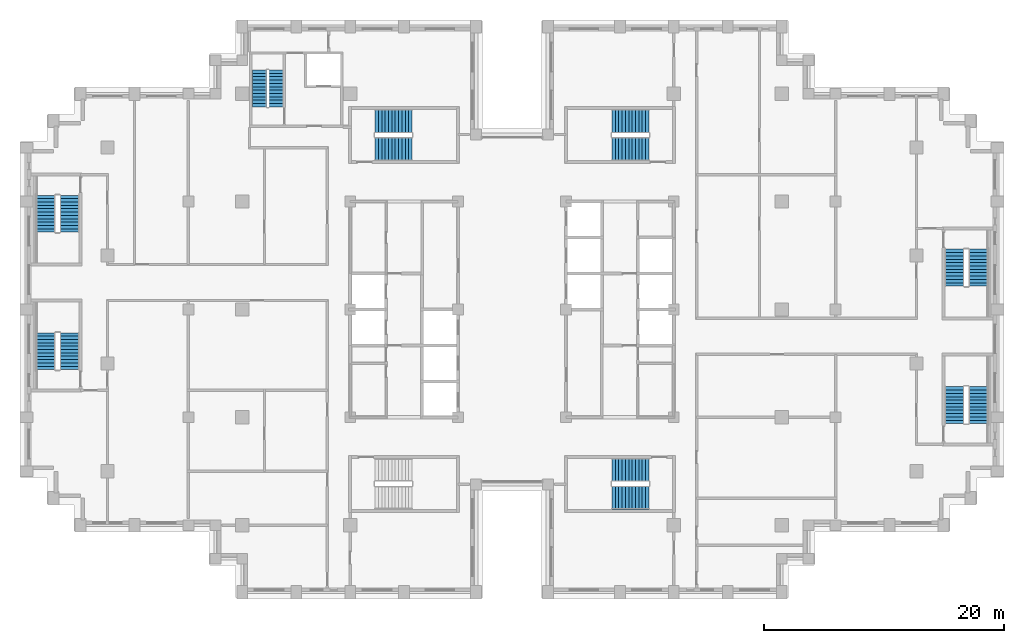
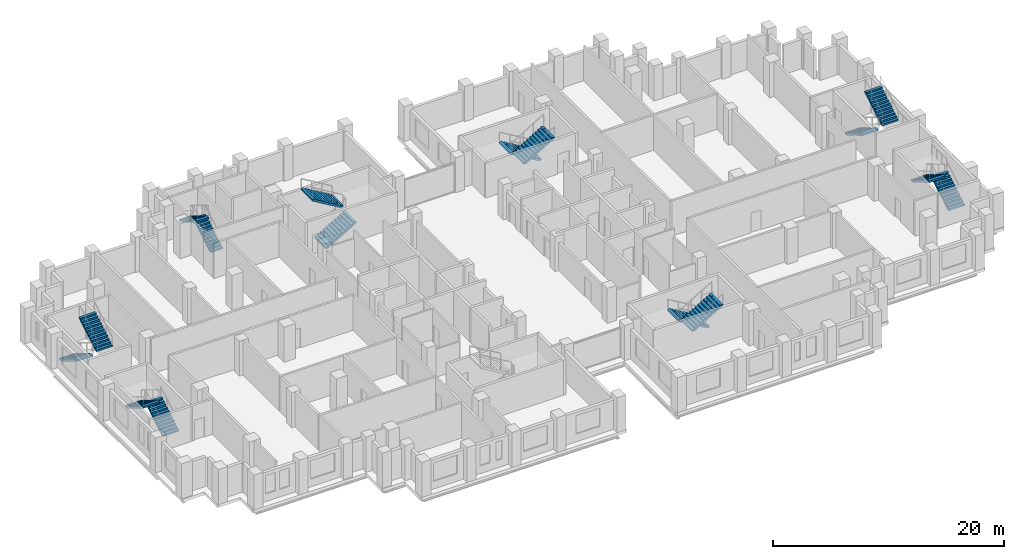
# One storey, part 13 of 15: 16 stair flights, 8 elements without a shape of their own.
"""IFC4 building model written with IfcOpenShell, lengths in metres."""

from ifc_helpers import new_model, si_unit, direction, frame, origin, place, context, subcontext, project, spatial, polyline, outline, extrude, material, type_object, element, aggregate, save


model = new_model("IFC4")

# Units and contexts
model_context = context("Model", 3, precision=1e-05, world=origin(), true_north=direction((0.0, 1.0)))
body_context = subcontext(model_context, "Body", "Model", "MODEL_VIEW")
ifc_project = project(units=[si_unit("LENGTHUNIT", "METRE"), si_unit("AREAUNIT", "SQUARE_METRE"), si_unit("VOLUMEUNIT", "CUBIC_METRE"), si_unit("PLANEANGLEUNIT", "RADIAN"), si_unit("MASSUNIT", "GRAM", prefix="KILO")], contexts=[model_context])

# Site, building, storey
site_placement = place(None, origin())
site = spatial("IfcSite", under=ifc_project, at=site_placement, CompositionType="ELEMENT")
building_placement = place(site_placement, origin())
building = spatial("IfcBuilding", under=site, at=building_placement, Name="Corbelhall Arena Tower", CompositionType="ELEMENT")
storey_placement = place(building_placement, frame((0.0, 0.0, 162.0)))
storey = spatial("IfcBuildingStorey", under=building, at=storey_placement, Name="L32", CompositionType="ELEMENT", Elevation=162.0)

# Stair, stair flights
ifc_material = material(Name="Concrete C40/50", Category="concrete")
stair_type = type_object("IfcStairType", Name="IN-ST-TOWER", PredefinedType="HALF_TURN_STAIR", material=ifc_material)
stair_1_placement = place(storey_placement, origin())
stair_1 = element("IfcStair", 1, at=stair_1_placement, inside=storey, type_object=stair_type, Name="L32 Exit stair ST1", PredefinedType="HALF_TURN_STAIR")
stair_flight_type = type_object("IfcStairFlightType", Name="IN-SFL-RC", PredefinedType="STRAIGHT", material=ifc_material)
stair_flight_1_placement = place(storey_placement, frame((-11.425048828125, 13.39990234375, 0.0), z_axis=(0.0, 0.0, 1.0), x_axis=(1.0, 0.0, 0.0)))
stair_flight_1 = element("IfcStairFlight", 2, at=stair_flight_1_placement, type_object=stair_flight_type, Name="ST1 flight 1", NumberOfRisers=12, NumberOfTreads=11, PredefinedType="STRAIGHT", RiserHeight=0.166666667, TreadLength=0.28, context=body_context, shape_type="SweptSolid", body=[
    extrude(outline(polyline([(0.0, 0.0), (0.0, 0.166748046875), (0.280029296875, 0.166748046875), (0.280029296875, 0.333251953125), (0.56005859375, 0.333251953125), (0.56005859375, 0.5), (0.840087890625, 0.5), (0.840087890625, 0.666748046875), (1.1201171875, 0.666748046875), (1.1201171875, 0.833251953125), (1.39990234375, 0.833251953125), (1.39990234375, 1.0), (1.679931640625, 1.0), (1.679931640625, 1.166748046875), (1.9599609375, 1.166748046875), (1.9599609375, 1.333251953125), (2.239990234375, 1.333251953125), (2.239990234375, 1.5), (2.52001953125, 1.5), (2.52001953125, 1.666748046875), (2.800048828125, 1.666748046875), (2.800048828125, 1.833251953125), (3.080078125, 1.833251953125), (3.080078125, 2.0), (3.080078125, 1.658935546875), (0.29296875, 0.0), (0.0, 0.0)])), frame((0.0, 0.97509765625, 0.0), z_axis=(0.0, -1.0, 0.0), x_axis=(1.0, 0.0, 0.0)), (0.0, 0.0, 1.0), 0.449951171875),
    extrude(outline(polyline([(0.0, 0.0), (0.0, 0.166748046875), (0.280029296875, 0.166748046875), (0.280029296875, 0.333251953125), (0.56005859375, 0.333251953125), (0.56005859375, 0.5), (0.840087890625, 0.5), (0.840087890625, 0.666748046875), (1.1201171875, 0.666748046875), (1.1201171875, 0.833251953125), (1.39990234375, 0.833251953125), (1.39990234375, 1.0), (1.679931640625, 1.0), (1.679931640625, 1.166748046875), (1.9599609375, 1.166748046875), (1.9599609375, 1.333251953125), (2.239990234375, 1.333251953125), (2.239990234375, 1.5), (2.52001953125, 1.5), (2.52001953125, 1.666748046875), (2.800048828125, 1.666748046875), (2.800048828125, 1.833251953125), (3.080078125, 1.833251953125), (3.080078125, 2.0), (3.080078125, 1.658935546875), (0.29296875, 0.0), (0.0, 0.0)])), frame((0.0, 0.52099609375, 0.0), z_axis=(0.0, -1.0, 0.0), x_axis=(1.0, 0.0, 0.0)), (0.0, 0.0, 1.0), 1.0419921875),
    extrude(outline(polyline([(0.0, 0.0), (0.0, 0.166748046875), (0.280029296875, 0.166748046875), (0.280029296875, 0.333251953125), (0.56005859375, 0.333251953125), (0.56005859375, 0.5), (0.840087890625, 0.5), (0.840087890625, 0.666748046875), (1.1201171875, 0.666748046875), (1.1201171875, 0.833251953125), (1.39990234375, 0.833251953125), (1.39990234375, 1.0), (1.679931640625, 1.0), (1.679931640625, 1.166748046875), (1.9599609375, 1.166748046875), (1.9599609375, 1.333251953125), (2.239990234375, 1.333251953125), (2.239990234375, 1.5), (2.52001953125, 1.5), (2.52001953125, 1.666748046875), (2.800048828125, 1.666748046875), (2.800048828125, 1.833251953125), (3.080078125, 1.833251953125), (3.080078125, 2.0), (3.080078125, 1.658935546875), (0.29296875, 0.0), (0.0, 0.0)])), frame((0.0, -0.52490234375, 0.0), z_axis=(0.0, -1.0, 0.0), x_axis=(1.0, 0.0, 0.0)), (0.0, 0.0, 1.0), 0.449951171875),
])
stair_flight_2_placement = place(storey_placement, frame((-8.344970703125, 15.699951171875, 2.0), z_axis=(0.0, 0.0, 1.0), x_axis=(-1.0, 0.0, 0.0)))
stair_flight_2 = element("IfcStairFlight", 3, at=stair_flight_2_placement, type_object=stair_flight_type, Name="ST1 flight 2", NumberOfRisers=12, NumberOfTreads=11, PredefinedType="STRAIGHT", RiserHeight=0.166666667, TreadLength=0.28, context=body_context, shape_type="SweptSolid", body=[
    extrude(outline(polyline([(0.0, 0.0), (0.0, 0.166748046875), (0.280029296875, 0.166748046875), (0.280029296875, 0.333251953125), (0.56005859375, 0.333251953125), (0.56005859375, 0.5), (0.840087890625, 0.5), (0.840087890625, 0.666748046875), (1.1201171875, 0.666748046875), (1.1201171875, 0.833251953125), (1.39990234375, 0.833251953125), (1.39990234375, 1.0), (1.679931640625, 1.0), (1.679931640625, 1.166748046875), (1.9599609375, 1.166748046875), (1.9599609375, 1.333251953125), (2.239990234375, 1.333251953125), (2.239990234375, 1.5), (2.52001953125, 1.5), (2.52001953125, 1.666748046875), (2.800048828125, 1.666748046875), (2.800048828125, 1.833251953125), (3.080078125, 1.833251953125), (3.080078125, 2.0), (3.080078125, 1.658935546875), (0.29296875, 0.0), (0.0, 0.0)])), frame((0.0, 0.97509765625, 0.0), z_axis=(0.0, -1.0, 0.0), x_axis=(1.0, 0.0, 0.0)), (0.0, 0.0, 1.0), 0.449951171875),
    extrude(outline(polyline([(0.0, 0.0), (0.0, 0.166748046875), (0.280029296875, 0.166748046875), (0.280029296875, 0.333251953125), (0.56005859375, 0.333251953125), (0.56005859375, 0.5), (0.840087890625, 0.5), (0.840087890625, 0.666748046875), (1.1201171875, 0.666748046875), (1.1201171875, 0.833251953125), (1.39990234375, 0.833251953125), (1.39990234375, 1.0), (1.679931640625, 1.0), (1.679931640625, 1.166748046875), (1.9599609375, 1.166748046875), (1.9599609375, 1.333251953125), (2.239990234375, 1.333251953125), (2.239990234375, 1.5), (2.52001953125, 1.5), (2.52001953125, 1.666748046875), (2.800048828125, 1.666748046875), (2.800048828125, 1.833251953125), (3.080078125, 1.833251953125), (3.080078125, 2.0), (3.080078125, 1.658935546875), (0.29296875, 0.0), (0.0, 0.0)])), frame((0.0, 0.52099609375, 0.0), z_axis=(0.0, -1.0, 0.0), x_axis=(1.0, 0.0, 0.0)), (0.0, 0.0, 1.0), 1.0419921875),
    extrude(outline(polyline([(0.0, 0.0), (0.0, 0.166748046875), (0.280029296875, 0.166748046875), (0.280029296875, 0.333251953125), (0.56005859375, 0.333251953125), (0.56005859375, 0.5), (0.840087890625, 0.5), (0.840087890625, 0.666748046875), (1.1201171875, 0.666748046875), (1.1201171875, 0.833251953125), (1.39990234375, 0.833251953125), (1.39990234375, 1.0), (1.679931640625, 1.0), (1.679931640625, 1.166748046875), (1.9599609375, 1.166748046875), (1.9599609375, 1.333251953125), (2.239990234375, 1.333251953125), (2.239990234375, 1.5), (2.52001953125, 1.5), (2.52001953125, 1.666748046875), (2.800048828125, 1.666748046875), (2.800048828125, 1.833251953125), (3.080078125, 1.833251953125), (3.080078125, 2.0), (3.080078125, 1.658935546875), (0.29296875, 0.0), (0.0, 0.0)])), frame((0.0, -0.52490234375, 0.0), z_axis=(0.0, -1.0, 0.0), x_axis=(1.0, 0.0, 0.0)), (0.0, 0.0, 1.0), 0.449951171875),
])
aggregate(stair_1, [stair_flight_1, stair_flight_2])

stair_2_placement = place(storey_placement, origin())
stair_2 = element("IfcStair", 4, at=stair_2_placement, inside=storey, type_object=stair_type, Name="L32 Exit stair ST3", PredefinedType="HALF_TURN_STAIR")
stair_flight_3_placement = place(storey_placement, frame((11.425048828125, 15.699951171875, 0.0), z_axis=(0.0, 0.0, 1.0), x_axis=(-1.0, 0.0, 0.0)))
stair_flight_3 = element("IfcStairFlight", 5, at=stair_flight_3_placement, type_object=stair_flight_type, Name="ST3 flight 1", NumberOfRisers=12, NumberOfTreads=11, PredefinedType="STRAIGHT", RiserHeight=0.166666667, TreadLength=0.28, context=body_context, shape_type="SweptSolid", body=[
    extrude(outline(polyline([(0.0, 0.0), (0.0, 0.166748046875), (0.280029296875, 0.166748046875), (0.280029296875, 0.333251953125), (0.56005859375, 0.333251953125), (0.56005859375, 0.5), (0.840087890625, 0.5), (0.840087890625, 0.666748046875), (1.1201171875, 0.666748046875), (1.1201171875, 0.833251953125), (1.39990234375, 0.833251953125), (1.39990234375, 1.0), (1.679931640625, 1.0), (1.679931640625, 1.166748046875), (1.9599609375, 1.166748046875), (1.9599609375, 1.333251953125), (2.239990234375, 1.333251953125), (2.239990234375, 1.5), (2.52001953125, 1.5), (2.52001953125, 1.666748046875), (2.800048828125, 1.666748046875), (2.800048828125, 1.833251953125), (3.080078125, 1.833251953125), (3.080078125, 2.0), (3.080078125, 1.658935546875), (0.29296875, 0.0), (0.0, 0.0)])), frame((0.0, 0.97509765625, 0.0), z_axis=(0.0, -1.0, 0.0), x_axis=(1.0, 0.0, 0.0)), (0.0, 0.0, 1.0), 0.449951171875),
    extrude(outline(polyline([(0.0, 0.0), (0.0, 0.166748046875), (0.280029296875, 0.166748046875), (0.280029296875, 0.333251953125), (0.56005859375, 0.333251953125), (0.56005859375, 0.5), (0.840087890625, 0.5), (0.840087890625, 0.666748046875), (1.1201171875, 0.666748046875), (1.1201171875, 0.833251953125), (1.39990234375, 0.833251953125), (1.39990234375, 1.0), (1.679931640625, 1.0), (1.679931640625, 1.166748046875), (1.9599609375, 1.166748046875), (1.9599609375, 1.333251953125), (2.239990234375, 1.333251953125), (2.239990234375, 1.5), (2.52001953125, 1.5), (2.52001953125, 1.666748046875), (2.800048828125, 1.666748046875), (2.800048828125, 1.833251953125), (3.080078125, 1.833251953125), (3.080078125, 2.0), (3.080078125, 1.658935546875), (0.29296875, 0.0), (0.0, 0.0)])), frame((0.0, 0.52099609375, 0.0), z_axis=(0.0, -1.0, 0.0), x_axis=(1.0, 0.0, 0.0)), (0.0, 0.0, 1.0), 1.0419921875),
    extrude(outline(polyline([(0.0, 0.0), (0.0, 0.166748046875), (0.280029296875, 0.166748046875), (0.280029296875, 0.333251953125), (0.56005859375, 0.333251953125), (0.56005859375, 0.5), (0.840087890625, 0.5), (0.840087890625, 0.666748046875), (1.1201171875, 0.666748046875), (1.1201171875, 0.833251953125), (1.39990234375, 0.833251953125), (1.39990234375, 1.0), (1.679931640625, 1.0), (1.679931640625, 1.166748046875), (1.9599609375, 1.166748046875), (1.9599609375, 1.333251953125), (2.239990234375, 1.333251953125), (2.239990234375, 1.5), (2.52001953125, 1.5), (2.52001953125, 1.666748046875), (2.800048828125, 1.666748046875), (2.800048828125, 1.833251953125), (3.080078125, 1.833251953125), (3.080078125, 2.0), (3.080078125, 1.658935546875), (0.29296875, 0.0), (0.0, 0.0)])), frame((0.0, -0.52490234375, 0.0), z_axis=(0.0, -1.0, 0.0), x_axis=(1.0, 0.0, 0.0)), (0.0, 0.0, 1.0), 0.449951171875),
])
stair_flight_4_placement = place(storey_placement, frame((8.344970703125, 13.39990234375, 2.0), z_axis=(0.0, 0.0, 1.0), x_axis=(1.0, 0.0, 0.0)))
stair_flight_4 = element("IfcStairFlight", 6, at=stair_flight_4_placement, type_object=stair_flight_type, Name="ST3 flight 2", NumberOfRisers=12, NumberOfTreads=11, PredefinedType="STRAIGHT", RiserHeight=0.166666667, TreadLength=0.28, context=body_context, shape_type="SweptSolid", body=[
    extrude(outline(polyline([(0.0, 0.0), (0.0, 0.166748046875), (0.280029296875, 0.166748046875), (0.280029296875, 0.333251953125), (0.56005859375, 0.333251953125), (0.56005859375, 0.5), (0.840087890625, 0.5), (0.840087890625, 0.666748046875), (1.1201171875, 0.666748046875), (1.1201171875, 0.833251953125), (1.39990234375, 0.833251953125), (1.39990234375, 1.0), (1.679931640625, 1.0), (1.679931640625, 1.166748046875), (1.9599609375, 1.166748046875), (1.9599609375, 1.333251953125), (2.239990234375, 1.333251953125), (2.239990234375, 1.5), (2.52001953125, 1.5), (2.52001953125, 1.666748046875), (2.800048828125, 1.666748046875), (2.800048828125, 1.833251953125), (3.080078125, 1.833251953125), (3.080078125, 2.0), (3.080078125, 1.658935546875), (0.29296875, 0.0), (0.0, 0.0)])), frame((0.0, 0.97509765625, 0.0), z_axis=(0.0, -1.0, 0.0), x_axis=(1.0, 0.0, 0.0)), (0.0, 0.0, 1.0), 0.449951171875),
    extrude(outline(polyline([(0.0, 0.0), (0.0, 0.166748046875), (0.280029296875, 0.166748046875), (0.280029296875, 0.333251953125), (0.56005859375, 0.333251953125), (0.56005859375, 0.5), (0.840087890625, 0.5), (0.840087890625, 0.666748046875), (1.1201171875, 0.666748046875), (1.1201171875, 0.833251953125), (1.39990234375, 0.833251953125), (1.39990234375, 1.0), (1.679931640625, 1.0), (1.679931640625, 1.166748046875), (1.9599609375, 1.166748046875), (1.9599609375, 1.333251953125), (2.239990234375, 1.333251953125), (2.239990234375, 1.5), (2.52001953125, 1.5), (2.52001953125, 1.666748046875), (2.800048828125, 1.666748046875), (2.800048828125, 1.833251953125), (3.080078125, 1.833251953125), (3.080078125, 2.0), (3.080078125, 1.658935546875), (0.29296875, 0.0), (0.0, 0.0)])), frame((0.0, 0.52099609375, 0.0), z_axis=(0.0, -1.0, 0.0), x_axis=(1.0, 0.0, 0.0)), (0.0, 0.0, 1.0), 1.0419921875),
    extrude(outline(polyline([(0.0, 0.0), (0.0, 0.166748046875), (0.280029296875, 0.166748046875), (0.280029296875, 0.333251953125), (0.56005859375, 0.333251953125), (0.56005859375, 0.5), (0.840087890625, 0.5), (0.840087890625, 0.666748046875), (1.1201171875, 0.666748046875), (1.1201171875, 0.833251953125), (1.39990234375, 0.833251953125), (1.39990234375, 1.0), (1.679931640625, 1.0), (1.679931640625, 1.166748046875), (1.9599609375, 1.166748046875), (1.9599609375, 1.333251953125), (2.239990234375, 1.333251953125), (2.239990234375, 1.5), (2.52001953125, 1.5), (2.52001953125, 1.666748046875), (2.800048828125, 1.666748046875), (2.800048828125, 1.833251953125), (3.080078125, 1.833251953125), (3.080078125, 2.0), (3.080078125, 1.658935546875), (0.29296875, 0.0), (0.0, 0.0)])), frame((0.0, -0.52490234375, 0.0), z_axis=(0.0, -1.0, 0.0), x_axis=(1.0, 0.0, 0.0)), (0.0, 0.0, 1.0), 0.449951171875),
])
aggregate(stair_2, [stair_flight_3, stair_flight_4])

stair_3_placement = place(storey_placement, origin())
stair_3 = element("IfcStair", 7, at=stair_3_placement, inside=storey, type_object=stair_type, Name="L32 Exit stair ST4", PredefinedType="HALF_TURN_STAIR")
stair_flight_5_placement = place(storey_placement, frame((11.425048828125, -13.39990234375, 0.0), z_axis=(0.0, 0.0, 1.0), x_axis=(-1.0, 0.0, 0.0)))
stair_flight_5 = element("IfcStairFlight", 8, at=stair_flight_5_placement, type_object=stair_flight_type, Name="ST4 flight 1", NumberOfRisers=12, NumberOfTreads=11, PredefinedType="STRAIGHT", RiserHeight=0.166666667, TreadLength=0.28, context=body_context, shape_type="SweptSolid", body=[
    extrude(outline(polyline([(0.0, 0.0), (0.0, 0.166748046875), (0.280029296875, 0.166748046875), (0.280029296875, 0.333251953125), (0.56005859375, 0.333251953125), (0.56005859375, 0.5), (0.840087890625, 0.5), (0.840087890625, 0.666748046875), (1.1201171875, 0.666748046875), (1.1201171875, 0.833251953125), (1.39990234375, 0.833251953125), (1.39990234375, 1.0), (1.679931640625, 1.0), (1.679931640625, 1.166748046875), (1.9599609375, 1.166748046875), (1.9599609375, 1.333251953125), (2.239990234375, 1.333251953125), (2.239990234375, 1.5), (2.52001953125, 1.5), (2.52001953125, 1.666748046875), (2.800048828125, 1.666748046875), (2.800048828125, 1.833251953125), (3.080078125, 1.833251953125), (3.080078125, 2.0), (3.080078125, 1.658935546875), (0.29296875, 0.0), (0.0, 0.0)])), frame((0.0, 0.97509765625, 0.0), z_axis=(0.0, -1.0, 0.0), x_axis=(1.0, 0.0, 0.0)), (0.0, 0.0, 1.0), 0.449951171875),
    extrude(outline(polyline([(0.0, 0.0), (0.0, 0.166748046875), (0.280029296875, 0.166748046875), (0.280029296875, 0.333251953125), (0.56005859375, 0.333251953125), (0.56005859375, 0.5), (0.840087890625, 0.5), (0.840087890625, 0.666748046875), (1.1201171875, 0.666748046875), (1.1201171875, 0.833251953125), (1.39990234375, 0.833251953125), (1.39990234375, 1.0), (1.679931640625, 1.0), (1.679931640625, 1.166748046875), (1.9599609375, 1.166748046875), (1.9599609375, 1.333251953125), (2.239990234375, 1.333251953125), (2.239990234375, 1.5), (2.52001953125, 1.5), (2.52001953125, 1.666748046875), (2.800048828125, 1.666748046875), (2.800048828125, 1.833251953125), (3.080078125, 1.833251953125), (3.080078125, 2.0), (3.080078125, 1.658935546875), (0.29296875, 0.0), (0.0, 0.0)])), frame((0.0, 0.52099609375, 0.0), z_axis=(0.0, -1.0, 0.0), x_axis=(1.0, 0.0, 0.0)), (0.0, 0.0, 1.0), 1.0419921875),
    extrude(outline(polyline([(0.0, 0.0), (0.0, 0.166748046875), (0.280029296875, 0.166748046875), (0.280029296875, 0.333251953125), (0.56005859375, 0.333251953125), (0.56005859375, 0.5), (0.840087890625, 0.5), (0.840087890625, 0.666748046875), (1.1201171875, 0.666748046875), (1.1201171875, 0.833251953125), (1.39990234375, 0.833251953125), (1.39990234375, 1.0), (1.679931640625, 1.0), (1.679931640625, 1.166748046875), (1.9599609375, 1.166748046875), (1.9599609375, 1.333251953125), (2.239990234375, 1.333251953125), (2.239990234375, 1.5), (2.52001953125, 1.5), (2.52001953125, 1.666748046875), (2.800048828125, 1.666748046875), (2.800048828125, 1.833251953125), (3.080078125, 1.833251953125), (3.080078125, 2.0), (3.080078125, 1.658935546875), (0.29296875, 0.0), (0.0, 0.0)])), frame((0.0, -0.52490234375, 0.0), z_axis=(0.0, -1.0, 0.0), x_axis=(1.0, 0.0, 0.0)), (0.0, 0.0, 1.0), 0.449951171875),
])
stair_flight_6_placement = place(storey_placement, frame((8.344970703125, -15.699951171875, 2.0), z_axis=(0.0, 0.0, 1.0), x_axis=(1.0, 0.0, 0.0)))
stair_flight_6 = element("IfcStairFlight", 9, at=stair_flight_6_placement, type_object=stair_flight_type, Name="ST4 flight 2", NumberOfRisers=12, NumberOfTreads=11, PredefinedType="STRAIGHT", RiserHeight=0.166666667, TreadLength=0.28, context=body_context, shape_type="SweptSolid", body=[
    extrude(outline(polyline([(0.0, 0.0), (0.0, 0.166748046875), (0.280029296875, 0.166748046875), (0.280029296875, 0.333251953125), (0.56005859375, 0.333251953125), (0.56005859375, 0.5), (0.840087890625, 0.5), (0.840087890625, 0.666748046875), (1.1201171875, 0.666748046875), (1.1201171875, 0.833251953125), (1.39990234375, 0.833251953125), (1.39990234375, 1.0), (1.679931640625, 1.0), (1.679931640625, 1.166748046875), (1.9599609375, 1.166748046875), (1.9599609375, 1.333251953125), (2.239990234375, 1.333251953125), (2.239990234375, 1.5), (2.52001953125, 1.5), (2.52001953125, 1.666748046875), (2.800048828125, 1.666748046875), (2.800048828125, 1.833251953125), (3.080078125, 1.833251953125), (3.080078125, 2.0), (3.080078125, 1.658935546875), (0.29296875, 0.0), (0.0, 0.0)])), frame((0.0, 0.97509765625, 0.0), z_axis=(0.0, -1.0, 0.0), x_axis=(1.0, 0.0, 0.0)), (0.0, 0.0, 1.0), 0.449951171875),
    extrude(outline(polyline([(0.0, 0.0), (0.0, 0.166748046875), (0.280029296875, 0.166748046875), (0.280029296875, 0.333251953125), (0.56005859375, 0.333251953125), (0.56005859375, 0.5), (0.840087890625, 0.5), (0.840087890625, 0.666748046875), (1.1201171875, 0.666748046875), (1.1201171875, 0.833251953125), (1.39990234375, 0.833251953125), (1.39990234375, 1.0), (1.679931640625, 1.0), (1.679931640625, 1.166748046875), (1.9599609375, 1.166748046875), (1.9599609375, 1.333251953125), (2.239990234375, 1.333251953125), (2.239990234375, 1.5), (2.52001953125, 1.5), (2.52001953125, 1.666748046875), (2.800048828125, 1.666748046875), (2.800048828125, 1.833251953125), (3.080078125, 1.833251953125), (3.080078125, 2.0), (3.080078125, 1.658935546875), (0.29296875, 0.0), (0.0, 0.0)])), frame((0.0, 0.52099609375, 0.0), z_axis=(0.0, -1.0, 0.0), x_axis=(1.0, 0.0, 0.0)), (0.0, 0.0, 1.0), 1.0419921875),
    extrude(outline(polyline([(0.0, 0.0), (0.0, 0.166748046875), (0.280029296875, 0.166748046875), (0.280029296875, 0.333251953125), (0.56005859375, 0.333251953125), (0.56005859375, 0.5), (0.840087890625, 0.5), (0.840087890625, 0.666748046875), (1.1201171875, 0.666748046875), (1.1201171875, 0.833251953125), (1.39990234375, 0.833251953125), (1.39990234375, 1.0), (1.679931640625, 1.0), (1.679931640625, 1.166748046875), (1.9599609375, 1.166748046875), (1.9599609375, 1.333251953125), (2.239990234375, 1.333251953125), (2.239990234375, 1.5), (2.52001953125, 1.5), (2.52001953125, 1.666748046875), (2.800048828125, 1.666748046875), (2.800048828125, 1.833251953125), (3.080078125, 1.833251953125), (3.080078125, 2.0), (3.080078125, 1.658935546875), (0.29296875, 0.0), (0.0, 0.0)])), frame((0.0, -0.52490234375, 0.0), z_axis=(0.0, -1.0, 0.0), x_axis=(1.0, 0.0, 0.0)), (0.0, 0.0, 1.0), 0.449951171875),
])
aggregate(stair_3, [stair_flight_5, stair_flight_6])

stair_4_placement = place(storey_placement, origin())
stair_4 = element("IfcStair", 10, at=stair_4_placement, inside=storey, type_object=stair_type, Name="L32 Exit stair SC1", PredefinedType="HALF_TURN_STAIR")
stair_flight_7_placement = place(storey_placement, frame((-38.89990234375, 9.52490234375, 0.0), z_axis=(0.0, 0.0, 1.0), x_axis=(0.0, -1.0, 0.0)))
stair_flight_7 = element("IfcStairFlight", 11, at=stair_flight_7_placement, type_object=stair_flight_type, Name="SC1 flight 1", NumberOfRisers=12, NumberOfTreads=11, PredefinedType="STRAIGHT", RiserHeight=0.166666667, TreadLength=0.28, context=body_context, shape_type="SweptSolid", body=[
    extrude(outline(polyline([(0.0, 0.0), (0.0, 0.166748046875), (0.280029296875, 0.166748046875), (0.280029296875, 0.333251953125), (0.56005859375, 0.333251953125), (0.56005859375, 0.5), (0.840087890625, 0.5), (0.840087890625, 0.666748046875), (1.1201171875, 0.666748046875), (1.1201171875, 0.833251953125), (1.39990234375, 0.833251953125), (1.39990234375, 1.0), (1.679931640625, 1.0), (1.679931640625, 1.166748046875), (1.9599609375, 1.166748046875), (1.9599609375, 1.333251953125), (2.239990234375, 1.333251953125), (2.239990234375, 1.5), (2.52001953125, 1.5), (2.52001953125, 1.666748046875), (2.800048828125, 1.666748046875), (2.800048828125, 1.833251953125), (3.080078125, 1.833251953125), (3.080078125, 2.0), (3.080078125, 1.658935546875), (0.29296875, 0.0), (0.0, 0.0)])), frame((0.0, 0.800048828125, 0.0), z_axis=(0.0, -1.0, 0.0), x_axis=(1.0, 0.0, 0.0)), (0.0, 0.0, 1.0), 1.60009765625),
])
stair_flight_8_placement = place(storey_placement, frame((-36.925048828125, 6.445068359375, 2.0), z_axis=(0.0, 0.0, 1.0), x_axis=(0.0, 1.0, 0.0)))
stair_flight_8 = element("IfcStairFlight", 12, at=stair_flight_8_placement, type_object=stair_flight_type, Name="SC1 flight 2", NumberOfRisers=12, NumberOfTreads=11, PredefinedType="STRAIGHT", RiserHeight=0.166666667, TreadLength=0.28, context=body_context, shape_type="SweptSolid", body=[
    extrude(outline(polyline([(0.0, 0.0), (0.0, 0.166748046875), (0.280029296875, 0.166748046875), (0.280029296875, 0.333251953125), (0.56005859375, 0.333251953125), (0.56005859375, 0.5), (0.840087890625, 0.5), (0.840087890625, 0.666748046875), (1.1201171875, 0.666748046875), (1.1201171875, 0.833251953125), (1.39990234375, 0.833251953125), (1.39990234375, 1.0), (1.679931640625, 1.0), (1.679931640625, 1.166748046875), (1.9599609375, 1.166748046875), (1.9599609375, 1.333251953125), (2.239990234375, 1.333251953125), (2.239990234375, 1.5), (2.52001953125, 1.5), (2.52001953125, 1.666748046875), (2.800048828125, 1.666748046875), (2.800048828125, 1.833251953125), (3.080078125, 1.833251953125), (3.080078125, 2.0), (3.080078125, 1.658935546875), (0.29296875, 0.0), (0.0, 0.0)])), frame((0.0, 0.800048828125, 0.0), z_axis=(0.0, -1.0, 0.0), x_axis=(1.0, 0.0, 0.0)), (0.0, 0.0, 1.0), 1.60009765625),
])
aggregate(stair_4, [stair_flight_7, stair_flight_8])

stair_5_placement = place(storey_placement, origin())
stair_5 = element("IfcStair", 13, at=stair_5_placement, inside=storey, type_object=stair_type, Name="L32 Exit stair SC2", PredefinedType="HALF_TURN_STAIR")
stair_flight_9_placement = place(storey_placement, frame((-36.925048828125, -5.02490234375, 0.0), z_axis=(0.0, 0.0, 1.0), x_axis=(0.0, 1.0, 0.0)))
stair_flight_9 = element("IfcStairFlight", 14, at=stair_flight_9_placement, type_object=stair_flight_type, Name="SC2 flight 1", NumberOfRisers=12, NumberOfTreads=11, PredefinedType="STRAIGHT", RiserHeight=0.166666667, TreadLength=0.28, context=body_context, shape_type="SweptSolid", body=[
    extrude(outline(polyline([(0.0, 0.0), (0.0, 0.166748046875), (0.280029296875, 0.166748046875), (0.280029296875, 0.333251953125), (0.56005859375, 0.333251953125), (0.56005859375, 0.5), (0.840087890625, 0.5), (0.840087890625, 0.666748046875), (1.1201171875, 0.666748046875), (1.1201171875, 0.833251953125), (1.39990234375, 0.833251953125), (1.39990234375, 1.0), (1.679931640625, 1.0), (1.679931640625, 1.166748046875), (1.9599609375, 1.166748046875), (1.9599609375, 1.333251953125), (2.239990234375, 1.333251953125), (2.239990234375, 1.5), (2.52001953125, 1.5), (2.52001953125, 1.666748046875), (2.800048828125, 1.666748046875), (2.800048828125, 1.833251953125), (3.080078125, 1.833251953125), (3.080078125, 2.0), (3.080078125, 1.658935546875), (0.29296875, 0.0), (0.0, 0.0)])), frame((0.0, 0.800048828125, 0.0), z_axis=(0.0, -1.0, 0.0), x_axis=(1.0, 0.0, 0.0)), (0.0, 0.0, 1.0), 1.60009765625),
])
stair_flight_10_placement = place(storey_placement, frame((-38.89990234375, -1.945068359375, 2.0), z_axis=(0.0, 0.0, 1.0), x_axis=(0.0, -1.0, 0.0)))
stair_flight_10 = element("IfcStairFlight", 15, at=stair_flight_10_placement, type_object=stair_flight_type, Name="SC2 flight 2", NumberOfRisers=12, NumberOfTreads=11, PredefinedType="STRAIGHT", RiserHeight=0.166666667, TreadLength=0.28, context=body_context, shape_type="SweptSolid", body=[
    extrude(outline(polyline([(0.0, 0.0), (0.0, 0.166748046875), (0.280029296875, 0.166748046875), (0.280029296875, 0.333251953125), (0.56005859375, 0.333251953125), (0.56005859375, 0.5), (0.840087890625, 0.5), (0.840087890625, 0.666748046875), (1.1201171875, 0.666748046875), (1.1201171875, 0.833251953125), (1.39990234375, 0.833251953125), (1.39990234375, 1.0), (1.679931640625, 1.0), (1.679931640625, 1.166748046875), (1.9599609375, 1.166748046875), (1.9599609375, 1.333251953125), (2.239990234375, 1.333251953125), (2.239990234375, 1.5), (2.52001953125, 1.5), (2.52001953125, 1.666748046875), (2.800048828125, 1.666748046875), (2.800048828125, 1.833251953125), (3.080078125, 1.833251953125), (3.080078125, 2.0), (3.080078125, 1.658935546875), (0.29296875, 0.0), (0.0, 0.0)])), frame((0.0, 0.800048828125, 0.0), z_axis=(0.0, -1.0, 0.0), x_axis=(1.0, 0.0, 0.0)), (0.0, 0.0, 1.0), 1.60009765625),
])
aggregate(stair_5, [stair_flight_9, stair_flight_10])

stair_6_placement = place(storey_placement, origin())
stair_6 = element("IfcStair", 16, at=stair_6_placement, inside=storey, type_object=stair_type, Name="L32 Exit stair SD1", PredefinedType="HALF_TURN_STAIR")
stair_flight_11_placement = place(storey_placement, frame((38.89990234375, -9.52490234375, 0.0), z_axis=(0.0, 0.0, 1.0), x_axis=(0.0, 1.0, 0.0)))
stair_flight_11 = element("IfcStairFlight", 17, at=stair_flight_11_placement, type_object=stair_flight_type, Name="SD1 flight 1", NumberOfRisers=12, NumberOfTreads=11, PredefinedType="STRAIGHT", RiserHeight=0.166666667, TreadLength=0.28, context=body_context, shape_type="SweptSolid", body=[
    extrude(outline(polyline([(0.0, 0.0), (0.0, 0.166748046875), (0.280029296875, 0.166748046875), (0.280029296875, 0.333251953125), (0.56005859375, 0.333251953125), (0.56005859375, 0.5), (0.840087890625, 0.5), (0.840087890625, 0.666748046875), (1.1201171875, 0.666748046875), (1.1201171875, 0.833251953125), (1.39990234375, 0.833251953125), (1.39990234375, 1.0), (1.679931640625, 1.0), (1.679931640625, 1.166748046875), (1.9599609375, 1.166748046875), (1.9599609375, 1.333251953125), (2.239990234375, 1.333251953125), (2.239990234375, 1.5), (2.52001953125, 1.5), (2.52001953125, 1.666748046875), (2.800048828125, 1.666748046875), (2.800048828125, 1.833251953125), (3.080078125, 1.833251953125), (3.080078125, 2.0), (3.080078125, 1.658935546875), (0.29296875, 0.0), (0.0, 0.0)])), frame((0.0, 0.800048828125, 0.0), z_axis=(0.0, -1.0, 0.0), x_axis=(1.0, 0.0, 0.0)), (0.0, 0.0, 1.0), 1.60009765625),
])
stair_flight_12_placement = place(storey_placement, frame((36.925048828125, -6.445068359375, 2.0), z_axis=(0.0, 0.0, 1.0), x_axis=(0.0, -1.0, 0.0)))
stair_flight_12 = element("IfcStairFlight", 18, at=stair_flight_12_placement, type_object=stair_flight_type, Name="SD1 flight 2", NumberOfRisers=12, NumberOfTreads=11, PredefinedType="STRAIGHT", RiserHeight=0.166666667, TreadLength=0.28, context=body_context, shape_type="SweptSolid", body=[
    extrude(outline(polyline([(0.0, 0.0), (0.0, 0.166748046875), (0.280029296875, 0.166748046875), (0.280029296875, 0.333251953125), (0.56005859375, 0.333251953125), (0.56005859375, 0.5), (0.840087890625, 0.5), (0.840087890625, 0.666748046875), (1.1201171875, 0.666748046875), (1.1201171875, 0.833251953125), (1.39990234375, 0.833251953125), (1.39990234375, 1.0), (1.679931640625, 1.0), (1.679931640625, 1.166748046875), (1.9599609375, 1.166748046875), (1.9599609375, 1.333251953125), (2.239990234375, 1.333251953125), (2.239990234375, 1.5), (2.52001953125, 1.5), (2.52001953125, 1.666748046875), (2.800048828125, 1.666748046875), (2.800048828125, 1.833251953125), (3.080078125, 1.833251953125), (3.080078125, 2.0), (3.080078125, 1.658935546875), (0.29296875, 0.0), (0.0, 0.0)])), frame((0.0, 0.800048828125, 0.0), z_axis=(0.0, -1.0, 0.0), x_axis=(1.0, 0.0, 0.0)), (0.0, 0.0, 1.0), 1.60009765625),
])
aggregate(stair_6, [stair_flight_11, stair_flight_12])

stair_7_placement = place(storey_placement, origin())
stair_7 = element("IfcStair", 19, at=stair_7_placement, inside=storey, type_object=stair_type, Name="L32 Exit stair SD2", PredefinedType="HALF_TURN_STAIR")
stair_flight_13_placement = place(storey_placement, frame((36.925048828125, 5.02490234375, 0.0), z_axis=(0.0, 0.0, 1.0), x_axis=(0.0, -1.0, 0.0)))
stair_flight_13 = element("IfcStairFlight", 20, at=stair_flight_13_placement, type_object=stair_flight_type, Name="SD2 flight 1", NumberOfRisers=12, NumberOfTreads=11, PredefinedType="STRAIGHT", RiserHeight=0.166666667, TreadLength=0.28, context=body_context, shape_type="SweptSolid", body=[
    extrude(outline(polyline([(0.0, 0.0), (0.0, 0.166748046875), (0.280029296875, 0.166748046875), (0.280029296875, 0.333251953125), (0.56005859375, 0.333251953125), (0.56005859375, 0.5), (0.840087890625, 0.5), (0.840087890625, 0.666748046875), (1.1201171875, 0.666748046875), (1.1201171875, 0.833251953125), (1.39990234375, 0.833251953125), (1.39990234375, 1.0), (1.679931640625, 1.0), (1.679931640625, 1.166748046875), (1.9599609375, 1.166748046875), (1.9599609375, 1.333251953125), (2.239990234375, 1.333251953125), (2.239990234375, 1.5), (2.52001953125, 1.5), (2.52001953125, 1.666748046875), (2.800048828125, 1.666748046875), (2.800048828125, 1.833251953125), (3.080078125, 1.833251953125), (3.080078125, 2.0), (3.080078125, 1.658935546875), (0.29296875, 0.0), (0.0, 0.0)])), frame((0.0, 0.800048828125, 0.0), z_axis=(0.0, -1.0, 0.0), x_axis=(1.0, 0.0, 0.0)), (0.0, 0.0, 1.0), 1.60009765625),
])
stair_flight_14_placement = place(storey_placement, frame((38.89990234375, 1.945068359375, 2.0), z_axis=(0.0, 0.0, 1.0), x_axis=(0.0, 1.0, 0.0)))
stair_flight_14 = element("IfcStairFlight", 21, at=stair_flight_14_placement, type_object=stair_flight_type, Name="SD2 flight 2", NumberOfRisers=12, NumberOfTreads=11, PredefinedType="STRAIGHT", RiserHeight=0.166666667, TreadLength=0.28, context=body_context, shape_type="SweptSolid", body=[
    extrude(outline(polyline([(0.0, 0.0), (0.0, 0.166748046875), (0.280029296875, 0.166748046875), (0.280029296875, 0.333251953125), (0.56005859375, 0.333251953125), (0.56005859375, 0.5), (0.840087890625, 0.5), (0.840087890625, 0.666748046875), (1.1201171875, 0.666748046875), (1.1201171875, 0.833251953125), (1.39990234375, 0.833251953125), (1.39990234375, 1.0), (1.679931640625, 1.0), (1.679931640625, 1.166748046875), (1.9599609375, 1.166748046875), (1.9599609375, 1.333251953125), (2.239990234375, 1.333251953125), (2.239990234375, 1.5), (2.52001953125, 1.5), (2.52001953125, 1.666748046875), (2.800048828125, 1.666748046875), (2.800048828125, 1.833251953125), (3.080078125, 1.833251953125), (3.080078125, 2.0), (3.080078125, 1.658935546875), (0.29296875, 0.0), (0.0, 0.0)])), frame((0.0, 0.800048828125, 0.0), z_axis=(0.0, -1.0, 0.0), x_axis=(1.0, 0.0, 0.0)), (0.0, 0.0, 1.0), 1.60009765625),
])
aggregate(stair_7, [stair_flight_13, stair_flight_14])

stair_8_placement = place(storey_placement, origin())
stair_8 = element("IfcStair", 22, at=stair_8_placement, inside=storey, type_object=stair_type, Name="L32 Exit stair ST5", PredefinedType="HALF_TURN_STAIR")
stair_flight_15_placement = place(storey_placement, frame((-19.695068359375, 16.89990234375, 0.0), z_axis=(0.0, 0.0, 1.0), x_axis=(0.0, 1.0, 0.0)))
stair_flight_15 = element("IfcStairFlight", 23, at=stair_flight_15_placement, type_object=stair_flight_type, Name="ST5 flight 1", NumberOfRisers=12, NumberOfTreads=11, PredefinedType="STRAIGHT", RiserHeight=0.166666667, TreadLength=0.28, context=body_context, shape_type="SweptSolid", body=[
    extrude(outline(polyline([(0.0, 0.0), (0.0, 0.166748046875), (0.280029296875, 0.166748046875), (0.280029296875, 0.333251953125), (0.56005859375, 0.333251953125), (0.56005859375, 0.5), (0.840087890625, 0.5), (0.840087890625, 0.666748046875), (1.1201171875, 0.666748046875), (1.1201171875, 0.833251953125), (1.39990234375, 0.833251953125), (1.39990234375, 1.0), (1.679931640625, 1.0), (1.679931640625, 1.166748046875), (1.9599609375, 1.166748046875), (1.9599609375, 1.333251953125), (2.239990234375, 1.333251953125), (2.239990234375, 1.5), (2.52001953125, 1.5), (2.52001953125, 1.666748046875), (2.800048828125, 1.666748046875), (2.800048828125, 1.833251953125), (3.080078125, 1.833251953125), (3.080078125, 2.0), (3.080078125, 1.658935546875), (0.29296875, 0.0), (0.0, 0.0)])), frame((0.0, 0.60009765625, 0.0), z_axis=(0.0, -1.0, 0.0), x_axis=(1.0, 0.0, 0.0)), (0.0, 0.0, 1.0), 1.199951171875),
])
stair_flight_16_placement = place(storey_placement, frame((-21.094970703125, 19.97998046875, 2.0), z_axis=(0.0, 0.0, 1.0), x_axis=(0.0, -1.0, 0.0)))
stair_flight_16 = element("IfcStairFlight", 24, at=stair_flight_16_placement, type_object=stair_flight_type, Name="ST5 flight 2", NumberOfRisers=12, NumberOfTreads=11, PredefinedType="STRAIGHT", RiserHeight=0.166666667, TreadLength=0.28, context=body_context, shape_type="SweptSolid", body=[
    extrude(outline(polyline([(0.0, 0.0), (0.0, 0.166748046875), (0.280029296875, 0.166748046875), (0.280029296875, 0.333251953125), (0.56005859375, 0.333251953125), (0.56005859375, 0.5), (0.840087890625, 0.5), (0.840087890625, 0.666748046875), (1.1201171875, 0.666748046875), (1.1201171875, 0.833251953125), (1.39990234375, 0.833251953125), (1.39990234375, 1.0), (1.679931640625, 1.0), (1.679931640625, 1.166748046875), (1.9599609375, 1.166748046875), (1.9599609375, 1.333251953125), (2.239990234375, 1.333251953125), (2.239990234375, 1.5), (2.52001953125, 1.5), (2.52001953125, 1.666748046875), (2.800048828125, 1.666748046875), (2.800048828125, 1.833251953125), (3.080078125, 1.833251953125), (3.080078125, 2.0), (3.080078125, 1.658935546875), (0.29296875, 0.0), (0.0, 0.0)])), frame((0.0, 0.60009765625, 0.0), z_axis=(0.0, -1.0, 0.0), x_axis=(1.0, 0.0, 0.0)), (0.0, 0.0, 1.0), 1.199951171875),
])
aggregate(stair_8, [stair_flight_15, stair_flight_16])

save(model, "model.ifc")
